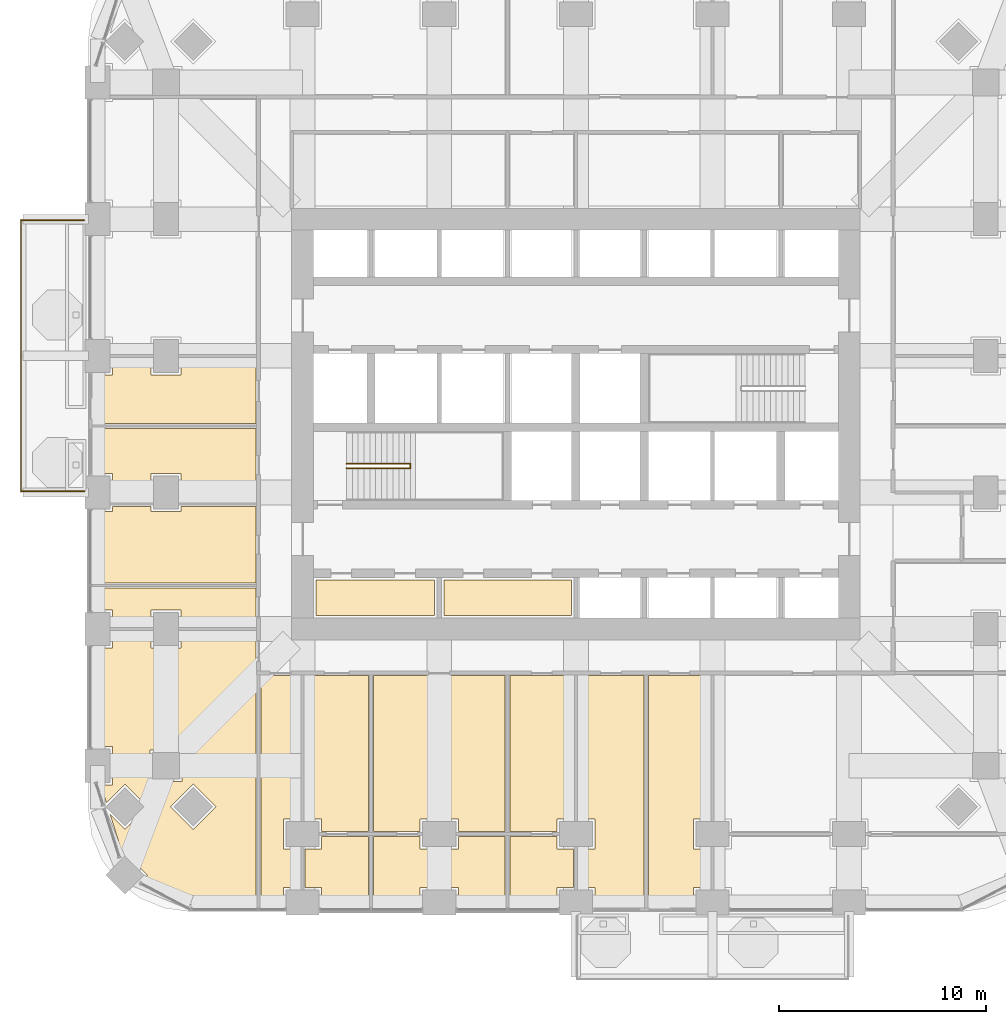
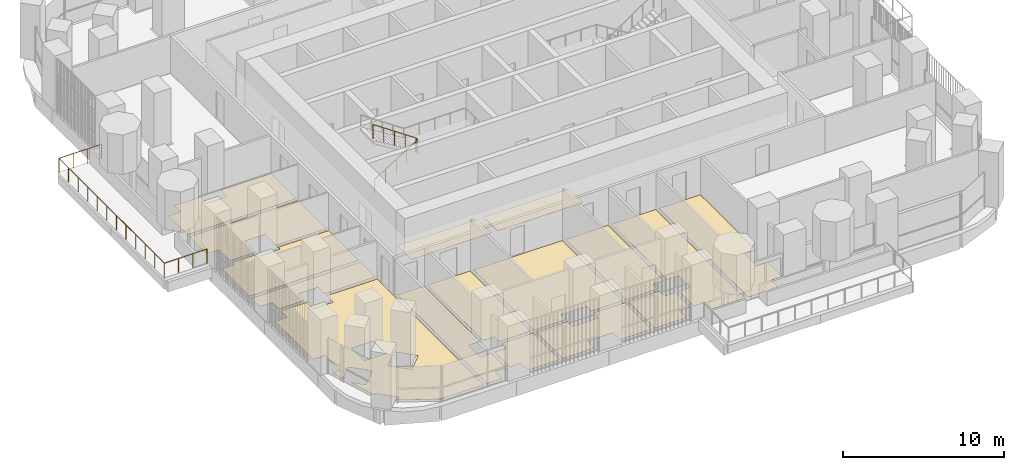
# One storey, part 18 of 22: 16 coverings, 2 railings.
"""IFC4 building model written with IfcOpenShell, lengths in metres."""

from ifc_helpers import new_model, si_unit, direction, frame, origin, place, context, subcontext, project, spatial, polyline, outline, extrude, material, layer, layer_set, type_object, element, save


model = new_model("IFC4")

# Units and contexts
model_context = context("Model", 3, precision=1e-05, world=origin(), true_north=direction((0.0, 1.0)))
body_context = subcontext(model_context, "Body", "Model", "MODEL_VIEW")
ifc_project = project(units=[si_unit("LENGTHUNIT", "METRE"), si_unit("AREAUNIT", "SQUARE_METRE"), si_unit("VOLUMEUNIT", "CUBIC_METRE"), si_unit("PLANEANGLEUNIT", "RADIAN"), si_unit("MASSUNIT", "GRAM", prefix="KILO")], contexts=[model_context])

# Site, building, storey
site_placement = place(None, origin())
site = spatial("IfcSite", under=ifc_project, at=site_placement, CompositionType="ELEMENT")
building_placement = place(site_placement, origin())
building = spatial("IfcBuilding", under=site, at=building_placement, Name="Cobogo Forest Laboratory Tower", CompositionType="ELEMENT")
storey_placement = place(building_placement, frame((0.0, 0.0, 94.800048828125)))
storey = spatial("IfcBuildingStorey", under=building, at=storey_placement, Name="L21", CompositionType="ELEMENT", Elevation=94.800048828125)

# Railing
ifc_material_1 = material(Name="Laminated glass balustrade", Category="glass")
railing_type_1 = type_object("IfcRailingType", Name="BG1 glass balustrade 1100", PredefinedType="GUARDRAIL", material=ifc_material_1)
railing_1_placement = place(storey_placement, frame((2.64990234375, 19.85009765625, 0.0)))
element("IfcRailing", 1, at=railing_1_placement, inside=storey, type_object=railing_type_1, Name="Balcony balustrade BAL-W1 L21", PredefinedType="GUARDRAIL", context=body_context, shape_type="SweptSolid", body=[
    extrude(outline(polyline([(0.022216796875, 0.00927734375), (0.00927734375, 0.022216796875), (-0.00927734375, 0.022216796875), (-0.022216796875, 0.00927734375), (-0.022216796875, -0.00927734375), (-0.00927734375, -0.022216796875), (0.00927734375, -0.022216796875), (0.022216796875, -0.00927734375), (0.022216796875, 0.00927734375)])), frame((0.0, 0.0, 1.077880859375), z_axis=(-1.0, 0.0, 0.0), x_axis=(0.0, -1.0, 0.0)), (0.0, 0.0, 1.0), 3.0498046875),
    extrude(outline(polyline([(0.022216796875, 0.00927734375), (0.00927734375, 0.022216796875), (-0.00927734375, 0.022216796875), (-0.022216796875, 0.00927734375), (-0.022216796875, -0.00927734375), (-0.00927734375, -0.022216796875), (0.00927734375, -0.022216796875), (0.022216796875, -0.00927734375), (0.022216796875, 0.00927734375)])), frame((-3.0498046875, 0.0, 1.077880859375), z_axis=(0.0, 1.0, 0.0), x_axis=(-1.0, 0.0, 0.0)), (0.0, 0.0, 1.0), 13.099853515625),
    extrude(outline(polyline([(0.022216796875, 0.00927734375), (0.00927734375, 0.022216796875), (-0.00927734375, 0.022216796875), (-0.022216796875, 0.00927734375), (-0.022216796875, -0.00927734375), (-0.00927734375, -0.022216796875), (0.00927734375, -0.022216796875), (0.022216796875, -0.00927734375), (0.022216796875, 0.00927734375)])), frame((-3.0498046875, 13.099853515625, 1.077880859375), z_axis=(1.0, 0.0, 0.0), x_axis=(0.0, 1.0, 0.0)), (0.0, 0.0, 1.0), 3.0498046875),
    extrude(outline(polyline([(0.019287109375, 0.008056640625), (0.008056640625, 0.019287109375), (-0.008056640625, 0.019287109375), (-0.019287109375, 0.008056640625), (-0.019287109375, -0.008056640625), (-0.008056640625, -0.019287109375), (0.008056640625, -0.019287109375), (0.019287109375, -0.008056640625), (0.019287109375, 0.008056640625)])), origin(), (0.0, 0.0, 1.0), 1.077880859375),
    extrude(outline(polyline([(0.019287109375, 0.008056640625), (0.008056640625, 0.019287109375), (-0.008056640625, 0.019287109375), (-0.019287109375, 0.008056640625), (-0.019287109375, -0.008056640625), (-0.008056640625, -0.019287109375), (0.008056640625, -0.019287109375), (0.019287109375, -0.008056640625), (0.019287109375, 0.008056640625)])), frame((-1.0166015625, 0.0, 0.0)), (0.0, 0.0, 1.0), 1.077880859375),
    extrude(outline(polyline([(0.019287109375, 0.008056640625), (0.008056640625, 0.019287109375), (-0.008056640625, 0.019287109375), (-0.019287109375, 0.008056640625), (-0.019287109375, -0.008056640625), (-0.008056640625, -0.019287109375), (0.008056640625, -0.019287109375), (0.019287109375, -0.008056640625), (0.019287109375, 0.008056640625)])), frame((-2.033203125, 0.0, 0.0)), (0.0, 0.0, 1.0), 1.077880859375),
    extrude(outline(polyline([(0.019287109375, 0.008056640625), (0.008056640625, 0.019287109375), (-0.008056640625, 0.019287109375), (-0.019287109375, 0.008056640625), (-0.019287109375, -0.008056640625), (-0.008056640625, -0.019287109375), (0.008056640625, -0.019287109375), (0.019287109375, -0.008056640625), (0.019287109375, 0.008056640625)])), frame((-3.0498046875, 0.0, 0.0)), (0.0, 0.0, 1.0), 1.077880859375),
    extrude(outline(polyline([(0.019287109375, 0.008056640625), (0.008056640625, 0.019287109375), (-0.008056640625, 0.019287109375), (-0.019287109375, 0.008056640625), (-0.019287109375, -0.008056640625), (-0.008056640625, -0.019287109375), (0.008056640625, -0.019287109375), (0.019287109375, -0.008056640625), (0.019287109375, 0.008056640625)])), frame((-3.0498046875, 1.19091796875, 0.0)), (0.0, 0.0, 1.0), 1.077880859375),
    extrude(outline(polyline([(0.019287109375, 0.008056640625), (0.008056640625, 0.019287109375), (-0.008056640625, 0.019287109375), (-0.019287109375, 0.008056640625), (-0.019287109375, -0.008056640625), (-0.008056640625, -0.019287109375), (0.008056640625, -0.019287109375), (0.019287109375, -0.008056640625), (0.019287109375, 0.008056640625)])), frame((-3.0498046875, 2.3818359375, 0.0)), (0.0, 0.0, 1.0), 1.077880859375),
    extrude(outline(polyline([(0.019287109375, 0.008056640625), (0.008056640625, 0.019287109375), (-0.008056640625, 0.019287109375), (-0.019287109375, 0.008056640625), (-0.019287109375, -0.008056640625), (-0.008056640625, -0.019287109375), (0.008056640625, -0.019287109375), (0.019287109375, -0.008056640625), (0.019287109375, 0.008056640625)])), frame((-3.0498046875, 3.57275390625, 0.0)), (0.0, 0.0, 1.0), 1.077880859375),
    extrude(outline(polyline([(0.019287109375, 0.008056640625), (0.008056640625, 0.019287109375), (-0.008056640625, 0.019287109375), (-0.019287109375, 0.008056640625), (-0.019287109375, -0.008056640625), (-0.008056640625, -0.019287109375), (0.008056640625, -0.019287109375), (0.019287109375, -0.008056640625), (0.019287109375, 0.008056640625)])), frame((-3.0498046875, 4.763671875, 0.0)), (0.0, 0.0, 1.0), 1.077880859375),
    extrude(outline(polyline([(0.019287109375, 0.008056640625), (0.008056640625, 0.019287109375), (-0.008056640625, 0.019287109375), (-0.019287109375, 0.008056640625), (-0.019287109375, -0.008056640625), (-0.008056640625, -0.019287109375), (0.008056640625, -0.019287109375), (0.019287109375, -0.008056640625), (0.019287109375, 0.008056640625)])), frame((-3.0498046875, 5.95458984375, 0.0)), (0.0, 0.0, 1.0), 1.077880859375),
    extrude(outline(polyline([(0.019287109375, 0.008056640625), (0.008056640625, 0.019287109375), (-0.008056640625, 0.019287109375), (-0.019287109375, 0.008056640625), (-0.019287109375, -0.008056640625), (-0.008056640625, -0.019287109375), (0.008056640625, -0.019287109375), (0.019287109375, -0.008056640625), (0.019287109375, 0.008056640625)])), frame((-3.0498046875, 7.145263671875, 0.0)), (0.0, 0.0, 1.0), 1.077880859375),
    extrude(outline(polyline([(0.019287109375, 0.008056640625), (0.008056640625, 0.019287109375), (-0.008056640625, 0.019287109375), (-0.019287109375, 0.008056640625), (-0.019287109375, -0.008056640625), (-0.008056640625, -0.019287109375), (0.008056640625, -0.019287109375), (0.019287109375, -0.008056640625), (0.019287109375, 0.008056640625)])), frame((-3.0498046875, 8.336181640625, 0.0)), (0.0, 0.0, 1.0), 1.077880859375),
    extrude(outline(polyline([(0.019287109375, 0.008056640625), (0.008056640625, 0.019287109375), (-0.008056640625, 0.019287109375), (-0.019287109375, 0.008056640625), (-0.019287109375, -0.008056640625), (-0.008056640625, -0.019287109375), (0.008056640625, -0.019287109375), (0.019287109375, -0.008056640625), (0.019287109375, 0.008056640625)])), frame((-3.0498046875, 9.527099609375, 0.0)), (0.0, 0.0, 1.0), 1.077880859375),
    extrude(outline(polyline([(0.019287109375, 0.008056640625), (0.008056640625, 0.019287109375), (-0.008056640625, 0.019287109375), (-0.019287109375, 0.008056640625), (-0.019287109375, -0.008056640625), (-0.008056640625, -0.019287109375), (0.008056640625, -0.019287109375), (0.019287109375, -0.008056640625), (0.019287109375, 0.008056640625)])), frame((-3.0498046875, 10.718017578125, 0.0)), (0.0, 0.0, 1.0), 1.077880859375),
    extrude(outline(polyline([(0.019287109375, 0.008056640625), (0.008056640625, 0.019287109375), (-0.008056640625, 0.019287109375), (-0.019287109375, 0.008056640625), (-0.019287109375, -0.008056640625), (-0.008056640625, -0.019287109375), (0.008056640625, -0.019287109375), (0.019287109375, -0.008056640625), (0.019287109375, 0.008056640625)])), frame((-3.0498046875, 11.908935546875, 0.0)), (0.0, 0.0, 1.0), 1.077880859375),
    extrude(outline(polyline([(0.019287109375, 0.008056640625), (0.008056640625, 0.019287109375), (-0.008056640625, 0.019287109375), (-0.019287109375, 0.008056640625), (-0.019287109375, -0.008056640625), (-0.008056640625, -0.019287109375), (0.008056640625, -0.019287109375), (0.019287109375, -0.008056640625), (0.019287109375, 0.008056640625)])), frame((-3.0498046875, 13.099853515625, 0.0)), (0.0, 0.0, 1.0), 1.077880859375),
    extrude(outline(polyline([(0.019287109375, 0.008056640625), (0.008056640625, 0.019287109375), (-0.008056640625, 0.019287109375), (-0.019287109375, 0.008056640625), (-0.019287109375, -0.008056640625), (-0.008056640625, -0.019287109375), (0.008056640625, -0.019287109375), (0.019287109375, -0.008056640625), (0.019287109375, 0.008056640625)])), frame((-2.033203125, 13.099853515625, 0.0)), (0.0, 0.0, 1.0), 1.077880859375),
    extrude(outline(polyline([(0.019287109375, 0.008056640625), (0.008056640625, 0.019287109375), (-0.008056640625, 0.019287109375), (-0.019287109375, 0.008056640625), (-0.019287109375, -0.008056640625), (-0.008056640625, -0.019287109375), (0.008056640625, -0.019287109375), (0.019287109375, -0.008056640625), (0.019287109375, 0.008056640625)])), frame((-1.0166015625, 13.099853515625, 0.0)), (0.0, 0.0, 1.0), 1.077880859375),
    extrude(outline(polyline([(0.019287109375, 0.008056640625), (0.008056640625, 0.019287109375), (-0.008056640625, 0.019287109375), (-0.019287109375, 0.008056640625), (-0.019287109375, -0.008056640625), (-0.008056640625, -0.019287109375), (0.008056640625, -0.019287109375), (0.019287109375, -0.008056640625), (0.019287109375, 0.008056640625)])), frame((0.0, 13.099853515625, 0.0)), (0.0, 0.0, 1.0), 1.077880859375),
])

# Coverings
ifc_material_2 = material(Name="Carpet tile on raised access floor", Category="flooring")
ifc_layer_1 = layer(ifc_material_2, 0.008056640625)
ifc_layer_set_1 = layer_set([ifc_layer_1], Name="CT1 carpet tile floor 8")
covering_type_1 = type_object("IfcCoveringType", Name="CT1 carpet tile floor 8", PredefinedType="FLOORING", material=ifc_layer_set_1)
covering_1_placement = place(storey_placement, origin())
element("IfcCovering", 2, at=covering_1_placement, inside=storey, type_object=covering_type_1, Name="Carpet floor L21-05", PredefinedType="FLOORING", context=body_context, shape_type="SweptSolid", body=[
    extrude(outline(polyline([(13.080078125, 10.955078125), (13.080078125, 4.02001953125), (12.280029296875, 4.02001953125), (12.280029296875, 2.580078125), (13.080078125, 2.580078125), (13.080078125, 0.719970703125), (12.280029296875, 0.719970703125), (12.280029296875, -0.14990234375), (11.195068359375, -0.14990234375), (11.195068359375, 10.955078125), (13.080078125, 10.955078125)])), origin(), (0.0, 0.0, 1.0), 0.008056640625),
])
covering_2_placement = place(storey_placement, origin())
element("IfcCovering", 3, at=covering_2_placement, inside=storey, type_object=covering_type_1, Name="Carpet floor L21-07", PredefinedType="FLOORING", context=body_context, shape_type="SweptSolid", body=[
    extrude(outline(polyline([(16.3798828125, 3.179931640625), (16.3798828125, -0.14990234375), (14.1201171875, -0.14990234375), (14.1201171875, 0.719970703125), (13.320068359375, 0.719970703125), (13.320068359375, 2.580078125), (14.1201171875, 2.580078125), (14.1201171875, 3.179931640625), (16.3798828125, 3.179931640625)])), origin(), (0.0, 0.0, 1.0), 0.008056640625),
])
covering_3_placement = place(storey_placement, origin())
element("IfcCovering", 4, at=covering_3_placement, inside=storey, type_object=covering_type_1, Name="Carpet floor L21-09", PredefinedType="FLOORING", context=body_context, shape_type="SweptSolid", body=[
    extrude(outline(polyline([(18.8798828125, 3.179931640625), (18.8798828125, 2.580078125), (20.719970703125, 2.580078125), (20.719970703125, 3.179931640625), (22.97998046875, 3.179931640625), (22.97998046875, -0.14990234375), (20.719970703125, -0.14990234375), (20.719970703125, 0.719970703125), (18.8798828125, 0.719970703125), (18.8798828125, -0.14990234375), (16.6201171875, -0.14990234375), (16.6201171875, 3.179931640625), (18.8798828125, 3.179931640625)])), origin(), (0.0, 0.0, 1.0), 0.008056640625),
])
covering_4_placement = place(storey_placement, origin())
element("IfcCovering", 5, at=covering_4_placement, inside=storey, type_object=covering_type_1, Name="Carpet floor L21-11", PredefinedType="FLOORING", context=body_context, shape_type="SweptSolid", body=[
    extrude(outline(polyline([(25.47998046875, 3.179931640625), (25.47998046875, 2.580078125), (26.280029296875, 2.580078125), (26.280029296875, 0.719970703125), (25.47998046875, 0.719970703125), (25.47998046875, -0.14990234375), (23.219970703125, -0.14990234375), (23.219970703125, 3.179931640625), (25.47998046875, 3.179931640625)])), origin(), (0.0, 0.0, 1.0), 0.008056640625),
])
covering_5_placement = place(storey_placement, origin())
element("IfcCovering", 6, at=covering_5_placement, inside=storey, type_object=covering_type_1, Name="Carpet floor L21-12", PredefinedType="FLOORING", context=body_context, shape_type="SweptSolid", body=[
    extrude(outline(polyline([(29.679931640625, 10.955078125), (29.679931640625, -0.14990234375), (27.320068359375, -0.14990234375), (27.320068359375, 0.719970703125), (26.52001953125, 0.719970703125), (26.52001953125, 2.580078125), (27.320068359375, 2.580078125), (27.320068359375, 4.02001953125), (26.52001953125, 4.02001953125), (26.52001953125, 10.955078125), (29.679931640625, 10.955078125)])), origin(), (0.0, 0.0, 1.0), 0.008056640625),
])
covering_6_placement = place(storey_placement, origin())
element("IfcCovering", 7, at=covering_6_placement, inside=storey, type_object=covering_type_1, Name="Carpet floor L21-25", PredefinedType="FLOORING", context=body_context, shape_type="SweptSolid", body=[
    extrude(outline(polyline([(3.904052734375, 4.2431640625), (4.617919921875, 3.529052734375), (5.70703125, 4.617919921875), (4.617919921875, 5.70703125), (3.72412109375, 4.81298828125), (3.4501953125, 5.679931640625), (4.02001953125, 5.679931640625), (4.02001953125, 7.52001953125), (3.14990234375, 7.52001953125), (3.14990234375, 12.280029296875), (4.02001953125, 12.280029296875), (4.02001953125, 13.080078125), (5.8798828125, 13.080078125), (5.8798828125, 12.280029296875), (7.320068359375, 12.280029296875), (7.320068359375, 13.080078125), (10.955078125, 13.080078125), (10.955078125, -0.14990234375), (7.84912109375, -0.14990234375), (5.480712890625, 1.091552734375), (5.70703125, 1.318115234375), (4.617919921875, 2.406982421875), (4.51611328125, 2.304931640625), (3.904052734375, 4.2431640625)]), holes=[polyline([(6.8291015625, 4.617919921875), (7.91796875, 3.529052734375), (9.007080078125, 4.617919921875), (7.91796875, 5.70703125), (6.8291015625, 4.617919921875)]), polyline([(5.830078125, 7.3701171875), (5.830078125, 5.830078125), (7.3701171875, 5.830078125), (7.3701171875, 7.3701171875), (5.830078125, 7.3701171875)])]), origin(), (0.0, 0.0, 1.0), 0.008056640625),
])
covering_7_placement = place(storey_placement, origin())
element("IfcCovering", 8, at=covering_7_placement, inside=storey, type_object=covering_type_1, Name="Carpet floor L21-38", PredefinedType="FLOORING", context=body_context, shape_type="SweptSolid", body=[
    extrude(outline(polyline([(19.580078125, 13.844970703125), (13.844970703125, 13.844970703125), (13.844970703125, 15.580078125), (19.580078125, 15.580078125), (19.580078125, 13.844970703125)])), origin(), (0.0, 0.0, 1.0), 0.008056640625),
])

# Railing
ifc_material_3 = material(Name="Steel balustrade", Category="steel")
railing_type_2 = type_object("IfcRailingType", Name="GR stair guard 1100", PredefinedType="GUARDRAIL", material=ifc_material_3)
railing_2_placement = place(storey_placement, frame((15.324951171875, 20.969970703125, 0.175048828125)))
element("IfcRailing", 9, at=railing_2_placement, inside=storey, type_object=railing_type_2, Name="Stair guard ST1 L21", PredefinedType="GUARDRAIL", context=body_context, shape_type="SweptSolid", body=[
    extrude(outline(polyline([(0.022216796875, 0.00927734375), (0.00927734375, 0.022216796875), (-0.00927734375, 0.022216796875), (-0.022216796875, 0.00927734375), (-0.022216796875, -0.00927734375), (-0.00927734375, -0.022216796875), (0.00927734375, -0.022216796875), (0.022216796875, -0.00927734375), (0.022216796875, 0.00927734375)])), frame((0.0, 0.0, 1.077880859375), z_axis=(0.848028513186, 0.0, 0.529950602248), x_axis=(0.0, 1.0, 0.0)), (0.0, 0.0, 1.0), 3.632080078125),
    extrude(outline(polyline([(0.022216796875, 0.00927734375), (0.00927734375, 0.022216796875), (-0.00927734375, 0.022216796875), (-0.022216796875, 0.00927734375), (-0.022216796875, -0.00927734375), (-0.00927734375, -0.022216796875), (0.00927734375, -0.022216796875), (0.022216796875, -0.00927734375), (0.022216796875, 0.00927734375)])), frame((3.080078125, 0.0, 3.002685546875), z_axis=(0.0, 1.0, 0.0), x_axis=(-1.0, 0.0, 0.0)), (0.0, 0.0, 1.0), 0.2099609375),
    extrude(outline(polyline([(0.022216796875, 0.00927734375), (0.00927734375, 0.022216796875), (-0.00927734375, 0.022216796875), (-0.022216796875, 0.00927734375), (-0.022216796875, -0.00927734375), (-0.00927734375, -0.022216796875), (0.00927734375, -0.022216796875), (0.022216796875, -0.00927734375), (0.022216796875, 0.00927734375)])), frame((3.080078125, 0.2099609375, 3.002685546875), z_axis=(-0.826221800596, 0.0, 0.563344953133), x_axis=(0.0, -1.0, 0.0)), (0.0, 0.0, 1.0), 3.72802734375),
    extrude(outline(polyline([(0.019287109375, 0.008056640625), (0.008056640625, 0.019287109375), (-0.008056640625, 0.019287109375), (-0.019287109375, 0.008056640625), (-0.019287109375, -0.008056640625), (-0.008056640625, -0.019287109375), (0.008056640625, -0.019287109375), (0.019287109375, -0.008056640625), (0.019287109375, 0.008056640625)])), origin(), (0.0, 0.0, 1.0), 1.077880859375),
    extrude(outline(polyline([(0.019287109375, 0.008056640625), (0.008056640625, 0.019287109375), (-0.008056640625, 0.019287109375), (-0.019287109375, 0.008056640625), (-0.019287109375, -0.008056640625), (-0.008056640625, -0.019287109375), (0.008056640625, -0.019287109375), (0.019287109375, -0.008056640625), (0.019287109375, 0.008056640625)])), frame((0.77001953125, 0.0, 0.481201171875)), (0.0, 0.0, 1.0), 1.077880859375),
    extrude(outline(polyline([(0.019287109375, 0.008056640625), (0.008056640625, 0.019287109375), (-0.008056640625, 0.019287109375), (-0.019287109375, 0.008056640625), (-0.019287109375, -0.008056640625), (-0.008056640625, -0.019287109375), (0.008056640625, -0.019287109375), (0.019287109375, -0.008056640625), (0.019287109375, 0.008056640625)])), frame((1.5400390625, 0.0, 0.96240234375)), (0.0, 0.0, 1.0), 1.077880859375),
    extrude(outline(polyline([(0.019287109375, 0.008056640625), (0.008056640625, 0.019287109375), (-0.008056640625, 0.019287109375), (-0.019287109375, 0.008056640625), (-0.019287109375, -0.008056640625), (-0.008056640625, -0.019287109375), (0.008056640625, -0.019287109375), (0.019287109375, -0.008056640625), (0.019287109375, 0.008056640625)])), frame((2.31005859375, 0.0, 1.443603515625)), (0.0, 0.0, 1.0), 1.077880859375),
    extrude(outline(polyline([(0.019287109375, 0.008056640625), (0.008056640625, 0.019287109375), (-0.008056640625, 0.019287109375), (-0.019287109375, 0.008056640625), (-0.019287109375, -0.008056640625), (-0.008056640625, -0.019287109375), (0.008056640625, -0.019287109375), (0.019287109375, -0.008056640625), (0.019287109375, 0.008056640625)])), frame((3.080078125, 0.0, 1.9248046875)), (0.0, 0.0, 1.0), 1.077880859375),
    extrude(outline(polyline([(0.019287109375, 0.008056640625), (0.008056640625, 0.019287109375), (-0.008056640625, 0.019287109375), (-0.019287109375, 0.008056640625), (-0.019287109375, -0.008056640625), (-0.008056640625, -0.019287109375), (0.008056640625, -0.019287109375), (0.019287109375, -0.008056640625), (0.019287109375, 0.008056640625)])), frame((3.080078125, 0.2099609375, 1.9248046875)), (0.0, 0.0, 1.0), 1.077880859375),
    extrude(outline(polyline([(0.019287109375, 0.008056640625), (0.008056640625, 0.019287109375), (-0.008056640625, 0.019287109375), (-0.019287109375, 0.008056640625), (-0.019287109375, -0.008056640625), (-0.008056640625, -0.019287109375), (0.008056640625, -0.019287109375), (0.019287109375, -0.008056640625), (0.019287109375, 0.008056640625)])), frame((2.31005859375, 0.2099609375, 2.44970703125)), (0.0, 0.0, 1.0), 1.077880859375),
    extrude(outline(polyline([(0.019287109375, 0.008056640625), (0.008056640625, 0.019287109375), (-0.008056640625, 0.019287109375), (-0.019287109375, 0.008056640625), (-0.019287109375, -0.008056640625), (-0.008056640625, -0.019287109375), (0.008056640625, -0.019287109375), (0.019287109375, -0.008056640625), (0.019287109375, 0.008056640625)])), frame((1.5400390625, 0.2099609375, 2.974853515625)), (0.0, 0.0, 1.0), 1.077880859375),
    extrude(outline(polyline([(0.019287109375, 0.008056640625), (0.008056640625, 0.019287109375), (-0.008056640625, 0.019287109375), (-0.019287109375, 0.008056640625), (-0.019287109375, -0.008056640625), (-0.008056640625, -0.019287109375), (0.008056640625, -0.019287109375), (0.019287109375, -0.008056640625), (0.019287109375, 0.008056640625)])), frame((0.77001953125, 0.2099609375, 3.5)), (0.0, 0.0, 1.0), 1.077880859375),
    extrude(outline(polyline([(0.019287109375, 0.008056640625), (0.008056640625, 0.019287109375), (-0.008056640625, 0.019287109375), (-0.019287109375, 0.008056640625), (-0.019287109375, -0.008056640625), (-0.008056640625, -0.019287109375), (0.008056640625, -0.019287109375), (0.019287109375, -0.008056640625), (0.019287109375, 0.008056640625)])), frame((0.0, 0.2099609375, 4.02490234375)), (0.0, 0.0, 1.0), 1.077880859375),
])

# Coverings
ifc_material_4 = material(Name="Epoxy resin flooring", Category="flooring")
ifc_layer_2 = layer(ifc_material_4, 0.00390625)
ifc_layer_set_2 = layer_set([ifc_layer_2], Name="LF1 epoxy laboratory floor 4")
covering_type_2 = type_object("IfcCoveringType", Name="LF1 epoxy laboratory floor 4", PredefinedType="FLOORING", material=ifc_layer_set_2)
covering_8_placement = place(storey_placement, origin())
element("IfcCovering", 10, at=covering_8_placement, inside=storey, type_object=covering_type_2, Name="Epoxy laboratory floor L21-06", PredefinedType="FLOORING", context=body_context, shape_type="SweptSolid", body=[
    extrude(outline(polyline([(13.320068359375, 10.955078125), (16.3798828125, 10.955078125), (16.3798828125, 3.419921875), (14.1201171875, 3.419921875), (14.1201171875, 4.02001953125), (13.320068359375, 4.02001953125), (13.320068359375, 10.955078125)])), origin(), (0.0, 0.0, 1.0), 0.00390625),
])
covering_9_placement = place(storey_placement, origin())
element("IfcCovering", 11, at=covering_9_placement, inside=storey, type_object=covering_type_2, Name="Epoxy laboratory floor L21-08", PredefinedType="FLOORING", context=body_context, shape_type="SweptSolid", body=[
    extrude(outline(polyline([(16.6201171875, 10.955078125), (22.97998046875, 10.955078125), (22.97998046875, 3.419921875), (20.719970703125, 3.419921875), (20.719970703125, 4.02001953125), (18.8798828125, 4.02001953125), (18.8798828125, 3.419921875), (16.6201171875, 3.419921875), (16.6201171875, 10.955078125)])), origin(), (0.0, 0.0, 1.0), 0.00390625),
])
covering_10_placement = place(storey_placement, origin())
element("IfcCovering", 12, at=covering_10_placement, inside=storey, type_object=covering_type_2, Name="Epoxy laboratory floor L21-10", PredefinedType="FLOORING", context=body_context, shape_type="SweptSolid", body=[
    extrude(outline(polyline([(23.219970703125, 10.955078125), (26.280029296875, 10.955078125), (26.280029296875, 4.02001953125), (25.47998046875, 4.02001953125), (25.47998046875, 3.419921875), (23.219970703125, 3.419921875), (23.219970703125, 10.955078125)])), origin(), (0.0, 0.0, 1.0), 0.00390625),
])
ifc_material_5 = material(Name="Ceramic floor tile", Category="flooring")
ifc_layer_3 = layer(ifc_material_5, 0.010009765625)
ifc_layer_set_3 = layer_set([ifc_layer_3], Name="TF1 ceramic tile floor 10")
covering_type_3 = type_object("IfcCoveringType", Name="TF1 ceramic tile floor 10", PredefinedType="FLOORING", material=ifc_layer_set_3)
covering_11_placement = place(storey_placement, origin())
element("IfcCovering", 13, at=covering_11_placement, inside=storey, type_object=covering_type_3, Name="Tile floor L21-13", PredefinedType="FLOORING", context=body_context, shape_type="SweptSolid", body=[
    extrude(outline(polyline([(32.8798828125, 10.955078125), (32.8798828125, 4.02001953125), (32.080078125, 4.02001953125), (32.080078125, 2.580078125), (32.8798828125, 2.580078125), (32.8798828125, 0.719970703125), (32.080078125, 0.719970703125), (32.080078125, -0.14990234375), (29.919921875, -0.14990234375), (29.919921875, 10.955078125), (32.8798828125, 10.955078125)])), origin(), (0.0, 0.0, 1.0), 0.010009765625),
])
covering_12_placement = place(storey_placement, origin())
element("IfcCovering", 14, at=covering_12_placement, inside=storey, type_object=covering_type_3, Name="Tile floor L21-26", PredefinedType="FLOORING", context=body_context, shape_type="SweptSolid", body=[
    extrude(outline(polyline([(10.955078125, 13.320068359375), (7.320068359375, 13.320068359375), (7.320068359375, 14.1201171875), (5.8798828125, 14.1201171875), (5.8798828125, 13.320068359375), (4.02001953125, 13.320068359375), (4.02001953125, 14.1201171875), (3.14990234375, 14.1201171875), (3.14990234375, 15.179931640625), (10.955078125, 15.179931640625), (10.955078125, 13.320068359375)])), origin(), (0.0, 0.0, 1.0), 0.010009765625),
])
covering_13_placement = place(storey_placement, origin())
element("IfcCovering", 15, at=covering_13_placement, inside=storey, type_object=covering_type_3, Name="Tile floor L21-27", PredefinedType="FLOORING", context=body_context, shape_type="SweptSolid", body=[
    extrude(outline(polyline([(10.955078125, 15.419921875), (3.14990234375, 15.419921875), (3.14990234375, 18.8798828125), (4.02001953125, 18.8798828125), (4.02001953125, 19.1298828125), (5.8798828125, 19.1298828125), (5.8798828125, 18.8798828125), (7.320068359375, 18.8798828125), (7.320068359375, 19.1298828125), (10.955078125, 19.1298828125), (10.955078125, 15.419921875)])), origin(), (0.0, 0.0, 1.0), 0.010009765625),
])
covering_14_placement = place(storey_placement, origin())
element("IfcCovering", 16, at=covering_14_placement, inside=storey, type_object=covering_type_3, Name="Tile floor L21-28", PredefinedType="FLOORING", context=body_context, shape_type="SweptSolid", body=[
    extrude(outline(polyline([(10.955078125, 19.3701171875), (7.320068359375, 19.3701171875), (7.320068359375, 20.719970703125), (5.8798828125, 20.719970703125), (5.8798828125, 19.3701171875), (4.02001953125, 19.3701171875), (4.02001953125, 20.719970703125), (3.14990234375, 20.719970703125), (3.14990234375, 22.8798828125), (10.955078125, 22.8798828125), (10.955078125, 19.3701171875)])), origin(), (0.0, 0.0, 1.0), 0.010009765625),
])
covering_15_placement = place(storey_placement, origin())
element("IfcCovering", 17, at=covering_15_placement, inside=storey, type_object=covering_type_3, Name="Tile floor L21-29", PredefinedType="FLOORING", context=body_context, shape_type="SweptSolid", body=[
    extrude(outline(polyline([(10.955078125, 23.1201171875), (3.14990234375, 23.1201171875), (3.14990234375, 25.47998046875), (4.02001953125, 25.47998046875), (4.02001953125, 26.280029296875), (5.8798828125, 26.280029296875), (5.8798828125, 25.47998046875), (7.320068359375, 25.47998046875), (7.320068359375, 26.280029296875), (10.955078125, 26.280029296875), (10.955078125, 23.1201171875)])), origin(), (0.0, 0.0, 1.0), 0.010009765625),
])
covering_16_placement = place(storey_placement, origin())
element("IfcCovering", 18, at=covering_16_placement, inside=storey, type_object=covering_type_3, Name="Tile floor L21-39", PredefinedType="FLOORING", context=body_context, shape_type="SweptSolid", body=[
    extrude(outline(polyline([(26.179931640625, 13.844970703125), (20.02001953125, 13.844970703125), (20.02001953125, 15.580078125), (26.179931640625, 15.580078125), (26.179931640625, 13.844970703125)])), origin(), (0.0, 0.0, 1.0), 0.010009765625),
])

save(model, "model.ifc")
